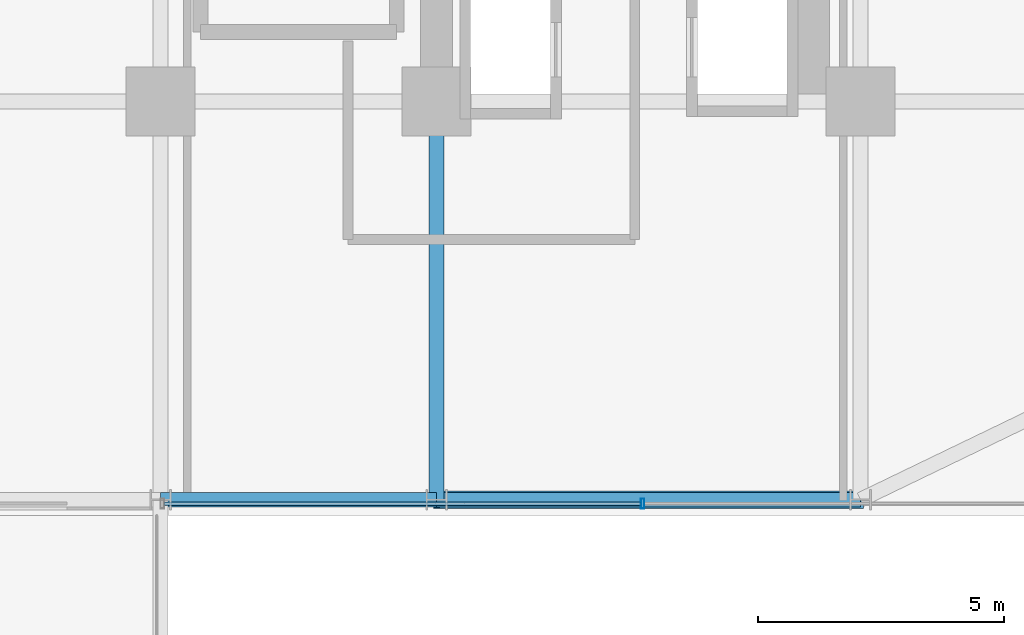
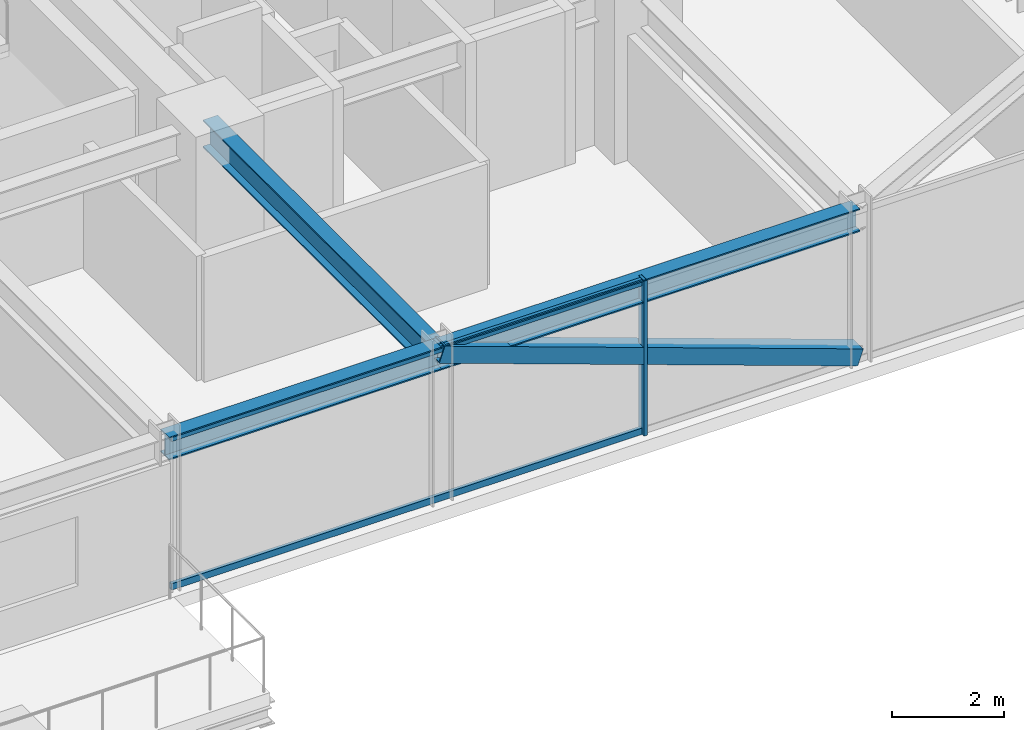
# One storey, part 13 of 38: 4 members, 3 beams, 1 element without a shape of its own.
"""IFC4 building model written with IfcOpenShell, lengths in metres."""

import ifcopenshell
import ifcopenshell.guid

model = None  # the IFC model being written
_history = None  # IfcOwnerHistory: only IFC2X3 demands one
_inside = {}  # id of a spatial element -> (the spatial element, [elements in it])
_under = {}  # id of a project, library or spatial element -> (it, [spatial elements below it])
_declared = {}  # id of a project -> (the project, [libraries it declares])
_typed = {}  # id of a type object -> (the type object, [elements of that type])
_made_of = {}  # id of a material, layer set ... -> (it, [elements and type objects made of it])


def new_model(schema):
    """Start an empty IFC model of exactly this schema.

    Asked for "IFC4X3", IfcOpenShell would pick the latest addendum, in which some entities
    have other attributes; the version numbers below select the first issue.
    IFC2X3 requires an IfcOwnerHistory on every rooted entity: one is made here for all.
    """
    global model, _history
    if schema == "IFC4X3":
        model = ifcopenshell.file(schema_version=(4, 3, 0, 0))
    else:
        model = ifcopenshell.file(schema=schema)
    _inside.clear()
    _under.clear()
    _declared.clear()
    _typed.clear()
    _made_of.clear()
    _history = None
    if model.schema == "IFC2X3":
        org = make("IfcOrganization", Name="unknown")
        user = make(
            "IfcPersonAndOrganization",
            ThePerson=make("IfcPerson", FamilyName="unknown"),
            TheOrganization=org,
        )
        app = make(
            "IfcApplication",
            ApplicationDeveloper=org,
            Version="unknown",
            ApplicationFullName="unknown",
            ApplicationIdentifier="unknown",
        )
        _history = make(
            "IfcOwnerHistory",
            OwningUser=user,
            OwningApplication=app,
            ChangeAction="ADDED",
            CreationDate=0,
        )
    return model


def make(cls, **values):
    """One entity of the class cls with the attributes given. An attribute that is None is left unset."""
    return model.create_entity(
        cls, **{name: value for name, value in values.items() if value is not None}
    )


def rooted(cls, **values):
    """An entity with a GlobalId (a new one), such as an element, a storey or a relation."""
    return make(cls, GlobalId=ifcopenshell.guid.new(), OwnerHistory=_history, **values)


def si_unit(unit_type, name, prefix=None):
    """IfcSIUnit, for example si_unit("LENGTHUNIT", "METRE", prefix="MILLI")."""
    return make("IfcSIUnit", UnitType=unit_type, Prefix=prefix, Name=name)


def assignment(units):
    """IfcUnitAssignment: the units of a project."""
    return None if units is None else make("IfcUnitAssignment", Units=units)


def point(xyz):
    """IfcCartesianPoint."""
    return None if xyz is None else make("IfcCartesianPoint", Coordinates=xyz)


def direction(xyz):
    """IfcDirection."""
    return None if xyz is None else make("IfcDirection", DirectionRatios=xyz)


def frame(location, z_axis=None, x_axis=None):
    """IfcAxis2Placement3D, a coordinate frame: its origin and axes. An axis left out is left unset."""
    return make(
        "IfcAxis2Placement3D",
        Location=point(location),
        Axis=direction(z_axis),
        RefDirection=direction(x_axis),
    )


def frame_2d(location, x_axis=None):
    """IfcAxis2Placement2D, a coordinate frame in the plane: its origin and x axis."""
    return make(
        "IfcAxis2Placement2D", Location=point(location), RefDirection=direction(x_axis)
    )


def origin():
    """The frame at (0, 0, 0) with its axes left unset."""
    return frame((0.0, 0.0, 0.0))


def origin_2d():
    """The frame at (0, 0) in the plane with its x axis left unset."""
    return frame_2d((0.0, 0.0))


def place(relative_to, where):
    """IfcLocalPlacement: puts the frame where relative to a parent placement (None: the world)."""
    return make(
        "IfcLocalPlacement", PlacementRelTo=relative_to, RelativePlacement=where
    )


def context(
    kind, dimensions, precision=None, world=None, true_north=None, identifier=None
):
    """IfcGeometricRepresentationContext, for example the 3D "Model" context."""
    return make(
        "IfcGeometricRepresentationContext",
        ContextIdentifier=identifier,
        ContextType=kind,
        CoordinateSpaceDimension=dimensions,
        Precision=precision,
        WorldCoordinateSystem=world,
        TrueNorth=true_north,
    )


def subcontext(parent, identifier, kind, view, scale=None):
    """IfcGeometricRepresentationSubContext, for example "Body" below "Model"."""
    return make(
        "IfcGeometricRepresentationSubContext",
        ContextIdentifier=identifier,
        ContextType=kind,
        ParentContext=parent,
        TargetScale=scale,
        TargetView=view,
    )


def project(units=None, contexts=None):
    """IfcProject with its units and contexts."""
    return rooted(
        "IfcProject",
        Name="project",
        RepresentationContexts=contexts,
        UnitsInContext=assignment(units),
    )


def spatial(cls, under=None, at=None, **own):
    """A site, building, storey or space (cls), placed at a placement, below another one or the project."""
    s = rooted(cls, ObjectPlacement=at, **own)
    if under is not None:
        _under.setdefault(under.id(), (under, []))[1].append(s)
    return s


def profile(cls, at=None, kind="AREA", **sizes):
    """A parametric profile (cls). Its sizes go by their IFC names, for example OverallWidth=200.0."""
    return make(cls, ProfileType=kind, Position=at, **sizes)


def hollow_rectangle(**sizes):
    """IfcRectangleHollowProfileDef."""
    return profile("IfcRectangleHollowProfileDef", **sizes)


def i_section(**sizes):
    """IfcIShapeProfileDef."""
    return profile("IfcIShapeProfileDef", **sizes)


def extrude(swept, where, along, depth):
    """IfcExtrudedAreaSolid: the profile swept, set in the frame where, extruded along a direction by depth."""
    return make(
        "IfcExtrudedAreaSolid",
        SweptArea=swept,
        Position=where,
        ExtrudedDirection=direction(along),
        Depth=depth,
    )


def shape(context_of_items, identifier, shape_type, items):
    """IfcShapeRepresentation: the items that make up one representation, for example the "Body"."""
    return make(
        "IfcShapeRepresentation",
        ContextOfItems=context_of_items,
        RepresentationIdentifier=identifier,
        RepresentationType=shape_type,
        Items=items,
    )


def source(mapping_origin, context_of_items, identifier, shape_type, items):
    """IfcRepresentationMap: a shape defined once, which mapped items show again and again."""
    return make(
        "IfcRepresentationMap",
        MappingOrigin=mapping_origin,
        MappedRepresentation=shape(context_of_items, identifier, shape_type, items),
    )


def transform(
    local_origin,
    x_axis=None,
    y_axis=None,
    z_axis=None,
    scale=None,
    scale2=None,
    scale3=None,
    uniform=True,
):
    """IfcCartesianTransformationOperator3D, or its non-uniform kind. x_axis, y_axis, z_axis: its Axis1, 2, 3."""
    if uniform:
        return make(
            "IfcCartesianTransformationOperator3D",
            Axis1=direction(x_axis),
            Axis2=direction(y_axis),
            LocalOrigin=point(local_origin),
            Scale=scale,
            Axis3=direction(z_axis),
        )
    return make(
        "IfcCartesianTransformationOperator3DnonUniform",
        Axis1=direction(x_axis),
        Axis2=direction(y_axis),
        LocalOrigin=point(local_origin),
        Scale=scale,
        Axis3=direction(z_axis),
        Scale2=scale2,
        Scale3=scale3,
    )


def mapped(mapping_source, mapping_target):
    """IfcMappedItem: shows the shape of a source again, moved by a transform."""
    return make(
        "IfcMappedItem", MappingSource=mapping_source, MappingTarget=mapping_target
    )


def material(Name=None, Category=None):
    """IfcMaterial."""
    return make("IfcMaterial", Name=Name, Category=Category)


def material_profile(
    of_material, cross_section, Name=None, Category=None, Priority=None
):
    """IfcMaterialProfile: a cross section and its material."""
    return make(
        "IfcMaterialProfile",
        Name=Name,
        Material=of_material,
        Profile=cross_section,
        Priority=Priority,
        Category=Category,
    )


def profile_set(profiles, Name=None, composite=None):
    """IfcMaterialProfileSet."""
    return make(
        "IfcMaterialProfileSet",
        Name=Name,
        MaterialProfiles=profiles,
        CompositeProfile=composite,
    )


def made_of(thing, what):
    """Note that an element or type object is made of a material, layer set ...; save() writes the relation."""
    if what is not None:
        _made_of.setdefault(what.id(), (what, []))[1].append(thing)
    return thing


def type_object(cls, material=None, **own):
    """A type object (cls), such as IfcWallType, which elements share."""
    return made_of(rooted(cls, **own), material)


def element(
    cls,
    number,
    at=None,
    inside=None,
    cuts=None,
    type_object=None,
    material=None,
    context=None,
    identifier="Body",
    shape_type=None,
    held_by="IfcProductDefinitionShape",
    body=None,
    shapes=None,
    **own,
):
    """One element of the class cls, such as IfcWall. Its Tag is "e" and its number.

    at: its placement. inside: the storey or other place that contains it. cuts: it is an
    opening in that element (IfcRelVoidsElement). A single representation is given by context,
    identifier, shape_type and body (its items); several are given by shapes. held_by: the class
    of the entity that holds the representations. save() writes the other relations.
    """
    e = rooted(cls, Tag="e%d" % number, ObjectPlacement=at, **own)
    if body is not None:
        shapes = [shape(context, identifier, shape_type, body)]
    if shapes is not None:
        e.Representation = make(held_by, Representations=shapes)
    if inside is not None:
        _inside.setdefault(inside.id(), (inside, []))[1].append(e)
    if cuts is not None:
        rooted(
            "IfcRelVoidsElement", RelatingBuildingElement=cuts, RelatedOpeningElement=e
        )
    if type_object is not None:
        _typed.setdefault(type_object.id(), (type_object, []))[1].append(e)
    return made_of(e, material)


def aggregate(whole, parts):
    """IfcRelAggregates: a whole, such as a stair, and the parts it consists of."""
    return rooted("IfcRelAggregates", RelatingObject=whole, RelatedObjects=parts)


def save(model, path):
    """Write the relations noted so far, then the file.

    IfcRelAggregates (storeys below a building ...), IfcRelContainedInSpatialStructure (elements
    in a storey), IfcRelDefinesByType, IfcRelAssociatesMaterial and IfcRelDeclares: one each for
    every whole, place, type object, material and project.
    """
    for whole, parts in _under.values():
        aggregate(whole, parts)
    for where, things in _inside.values():
        rooted(
            "IfcRelContainedInSpatialStructure",
            RelatedElements=things,
            RelatingStructure=where,
        )
    for kind, things in _typed.values():
        rooted("IfcRelDefinesByType", RelatedObjects=things, RelatingType=kind)
    for what, things in _made_of.values():
        rooted("IfcRelAssociatesMaterial", RelatedObjects=things, RelatingMaterial=what)
    for by, libraries in _declared.values():
        rooted("IfcRelDeclares", RelatingContext=by, RelatedDefinitions=libraries)
    model.write(path)


model = new_model("IFC4")

# Units and contexts
model_context = context("Model", 3, precision=1e-05, world=origin(), true_north=direction((0.0, 1.0)))
body_context = subcontext(model_context, "Body", "Model", "MODEL_VIEW")
ifc_project = project(units=[si_unit("LENGTHUNIT", "METRE"), si_unit("AREAUNIT", "SQUARE_METRE"), si_unit("VOLUMEUNIT", "CUBIC_METRE"), si_unit("PLANEANGLEUNIT", "RADIAN"), si_unit("MASSUNIT", "GRAM", prefix="KILO")], contexts=[model_context])

# Site, building, storey
site_placement = place(None, origin())
site = spatial("IfcSite", under=ifc_project, at=site_placement, CompositionType="ELEMENT")
building_placement = place(site_placement, origin())
building = spatial("IfcBuilding", under=site, at=building_placement, Name="Nahalor Promenade Grand Hotel", CompositionType="ELEMENT")
storey_placement = place(building_placement, frame((0.0, 0.0, 50.64990234375)))
storey = spatial("IfcBuildingStorey", under=building, at=storey_placement, Name="L11", CompositionType="ELEMENT", Elevation=50.64990234375)

# Beams
ifc_material_1 = material(Name="Steel S355JR", Category="steel")
ifc_material_profile_1 = material_profile(ifc_material_1, i_section(OverallWidth=0.3, OverallDepth=0.5, WebThickness=0.0145, FlangeThickness=0.028, at=origin_2d()), Name="HEB 500")
ifc_profile_set_1 = profile_set([ifc_material_profile_1], Name="Steel S355JR")
beam_type_1 = type_object("IfcBeamType", Name="Beam-Spandrel-HEB500", PredefinedType="SPANDREL", material=ifc_profile_set_1)
shared_shape_1 = source(origin(), body_context, "Body", "SweptSolid", [
    extrude(i_section(OverallWidth=0.3, OverallDepth=0.5, WebThickness=0.0145, FlangeThickness=0.028, at=origin_2d()), origin(), (0.0, 0.0, 1.0), 8.60009765625),
])
beam_1_placement = place(storey_placement, frame((8.39990234375, -25.080078125, 3.1201171875), z_axis=(1.0, 0.0, 0.0), x_axis=(0.0, 1.0, 0.0)))
element("IfcBeam", 1, at=beam_1_placement, inside=storey, type_object=beam_type_1, Name="BM-L11-SP-S-4", PredefinedType="SPANDREL", context=body_context, shape_type="MappedRepresentation", body=[
    mapped(shared_shape_1, transform((0.0, 0.0, 0.0), scale=1.0)),
])
shared_shape_2 = source(origin(), body_context, "Body", "SweptSolid", [
    extrude(i_section(OverallWidth=0.3, OverallDepth=0.5, WebThickness=0.0145, FlangeThickness=0.028, at=origin_2d()), origin(), (0.0, 0.0, 1.0), 5.599853515625),
])
beam_2_placement = place(storey_placement, frame((2.800048828125, -25.080078125, 3.1201171875), z_axis=(1.0, 0.0, 0.0), x_axis=(0.0, 1.0, 0.0)))
element("IfcBeam", 2, at=beam_2_placement, inside=storey, type_object=beam_type_1, Name="BM-L11-SP-S-3", PredefinedType="SPANDREL", context=body_context, shape_type="MappedRepresentation", body=[
    mapped(shared_shape_2, transform((0.0, 0.0, 0.0), scale=1.0)),
])
ifc_material_profile_2 = material_profile(ifc_material_1, i_section(OverallWidth=0.3, OverallDepth=0.6, WebThickness=0.0155, FlangeThickness=0.03, at=origin_2d()), Name="HEB 600")
ifc_profile_set_2 = profile_set([ifc_material_profile_2], Name="Steel S355JR")
beam_type_2 = type_object("IfcBeamType", Name="Beam-Girder-HEB600", PredefinedType="BEAM", material=ifc_profile_set_2)
shared_shape_3 = source(origin(), body_context, "Body", "SweptSolid", [
    extrude(i_section(OverallWidth=0.3, OverallDepth=0.6, WebThickness=0.0155, FlangeThickness=0.03, at=origin_2d()), origin(), (0.0, 0.0, 1.0), 8.080078125),
])
beam_3_placement = place(storey_placement, frame((8.39990234375, -25.080078125, 3.070068359375), z_axis=(0.0, 1.0, 0.0), x_axis=(-1.0, 0.0, 0.0)))
element("IfcBeam", 3, at=beam_3_placement, inside=storey, type_object=beam_type_2, Name="BM-L11-GY-4-0", PredefinedType="BEAM", context=body_context, shape_type="MappedRepresentation", body=[
    mapped(shared_shape_3, transform((0.0, 0.0, 0.0), scale=1.0)),
])

# Member
ifc_material_profile_3 = material_profile(ifc_material_1, hollow_rectangle(XDim=0.35, YDim=0.35, WallThickness=0.02, at=origin_2d()), Name="SHS 350x350x20")
ifc_profile_set_3 = profile_set([ifc_material_profile_3], Name="Steel S355JR")
member_type_1 = type_object("IfcMemberType", Name="Mem-VoidBrace-SHS350", PredefinedType="BRACE", material=ifc_profile_set_3)
shared_shape_4 = source(origin(), body_context, "Body", "SweptSolid", [
    extrude(hollow_rectangle(XDim=0.35, YDim=0.35, WallThickness=0.02, at=origin_2d()), origin(), (0.0, 0.0, 1.0), 9.131591796875),
])
member_1_placement = place(storey_placement, frame((17.0, -25.080078125, 0.150146484375), z_axis=(-0.941790292179, 0.0, 0.336200900589), x_axis=(0.0, -1.0, 0.0)))
element("IfcMember", 4, at=member_1_placement, inside=storey, type_object=member_type_1, Name="EXO-L11-S-1", PredefinedType="BRACE", context=body_context, shape_type="MappedRepresentation", body=[
    mapped(shared_shape_4, transform((0.0, 0.0, 0.0), scale=1.0)),
])

# Curtain wall, members
ifc_material_2 = material(Name="Anodised Bronze Aluminium EN AW-6063 T6", Category="aluminium")
curtain_wall_type = type_object("IfcCurtainWallType", Name="CW3 Elliptical-Void Collar Unitised Curtain Wall", PredefinedType="USERDEFINED", material=ifc_material_2)
curtain_wall_placement = place(storey_placement, origin())
curtain_wall = element("IfcCurtainWall", 5, at=curtain_wall_placement, inside=storey, type_object=curtain_wall_type, Name="L11 Curtain Wall CW-L11-S-3", ObjectType="UNITISED_CURTAIN_WALL", PredefinedType="USERDEFINED")
ifc_material_profile_4 = material_profile(ifc_material_2, hollow_rectangle(XDim=0.07, YDim=0.2, WallThickness=0.005, at=origin_2d()), Name="CWM 70x200x5")
ifc_profile_set_4 = profile_set([ifc_material_profile_4], Name="Anodised Bronze Aluminium EN AW-6063 T6")
member_type_2 = type_object("IfcMemberType", Name="CWM3 Void Collar Mullion 70x200", PredefinedType="MULLION", material=ifc_profile_set_4)
shared_shape_5 = source(origin(), body_context, "Body", "SweptSolid", [
    extrude(hollow_rectangle(XDim=0.07, YDim=0.2, WallThickness=0.005, at=origin_2d()), origin(), (0.0, 0.0, 1.0), 3.3701171875),
])
member_2_placement = place(storey_placement, frame((12.580078125, -25.159912109375, 0.0), z_axis=(0.0, 0.0, 1.0), x_axis=(1.0, 0.0, 0.0)))
member_2 = element("IfcMember", 6, at=member_2_placement, type_object=member_type_2, Name="CW-L11-S-3 Mullion 1", PredefinedType="MULLION", context=body_context, shape_type="MappedRepresentation", body=[
    mapped(shared_shape_5, transform((0.0, 0.0, 0.0), scale=1.0)),
])
ifc_material_profile_5 = material_profile(ifc_material_2, hollow_rectangle(XDim=0.07, YDim=0.14, WallThickness=0.004, at=origin_2d()), Name="CWT 70x140x4")
ifc_profile_set_5 = profile_set([ifc_material_profile_5], Name="Anodised Bronze Aluminium EN AW-6063 T6")
member_type_3 = type_object("IfcMemberType", Name="CWT3 Void Collar Transom 70x140", PredefinedType="USERDEFINED", material=ifc_profile_set_5)
shared_shape_6 = source(origin(), body_context, "Body", "SweptSolid", [
    extrude(hollow_rectangle(XDim=0.07, YDim=0.14, WallThickness=0.004, at=origin_2d()), origin(), (0.0, 0.0, 1.0), 9.6748046875),
])
member_3_placement = place(storey_placement, frame((2.8701171875, -25.159912109375, 0.070068359375), z_axis=(1.0, 0.0, 0.0), x_axis=(0.0, 1.0, 0.0)))
member_3 = element("IfcMember", 7, at=member_3_placement, type_object=member_type_3, Name="CW-L11-S-3 Transom 0-0", ObjectType="TRANSOM", PredefinedType="USERDEFINED", context=body_context, shape_type="MappedRepresentation", body=[
    mapped(shared_shape_6, transform((0.0, 0.0, 0.0), scale=1.0)),
])
member_4_placement = place(storey_placement, frame((2.8701171875, -25.159912109375, 3.300048828125), z_axis=(1.0, 0.0, 0.0), x_axis=(0.0, 1.0, 0.0)))
member_4 = element("IfcMember", 8, at=member_4_placement, type_object=member_type_3, Name="CW-L11-S-3 Transom 0-1", ObjectType="TRANSOM", PredefinedType="USERDEFINED", context=body_context, shape_type="MappedRepresentation", body=[
    mapped(shared_shape_6, transform((0.0, 0.0, 0.0), scale=1.0)),
])
aggregate(curtain_wall, [member_2, member_3, member_4])

save(model, "model.ifc")
